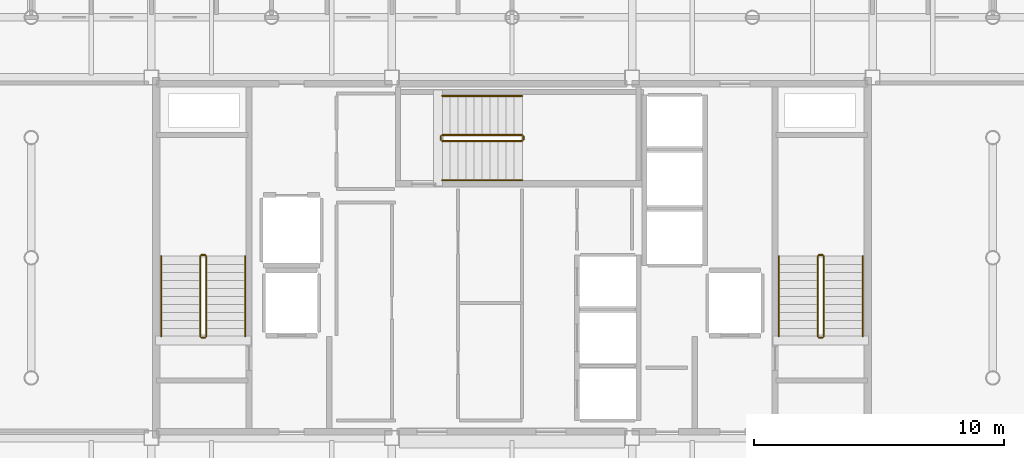
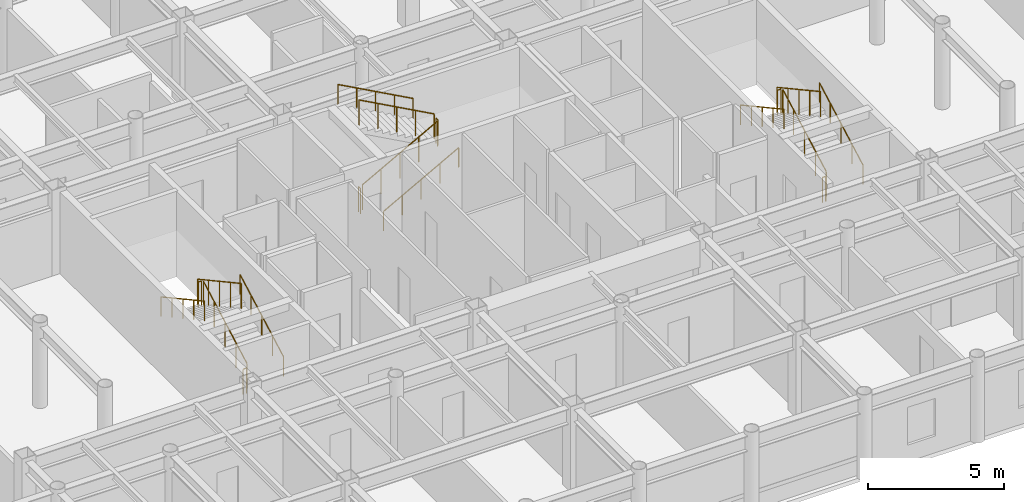
# One storey, part 22 of 22: 18 railings.
"""IFC4 building model written with IfcOpenShell, lengths in metres."""

from ifc_helpers import new_model, si_unit, direction, frame, origin, origin_2d, place, context, subcontext, project, spatial, circle, extrude, material, layer, layer_set, type_object, element, save


model = new_model("IFC4")

# Units and contexts
model_context = context("Model", 3, precision=1e-05, world=origin(), true_north=direction((0.0, 1.0)))
body_context = subcontext(model_context, "Body", "Model", "MODEL_VIEW")
ifc_project = project(units=[si_unit("LENGTHUNIT", "METRE"), si_unit("AREAUNIT", "SQUARE_METRE"), si_unit("VOLUMEUNIT", "CUBIC_METRE"), si_unit("PLANEANGLEUNIT", "RADIAN"), si_unit("MASSUNIT", "GRAM", prefix="KILO")], contexts=[model_context])

# Site, building, storey
site_placement = place(None, origin())
site = spatial("IfcSite", under=ifc_project, at=site_placement, CompositionType="ELEMENT")
building_placement = place(site_placement, origin())
building = spatial("IfcBuilding", under=site, at=building_placement, Name="Kallvorn Hotel Tower", CompositionType="ELEMENT")
storey_placement = place(building_placement, frame((0.0, 0.0, 253.10009765625)))
storey = spatial("IfcBuildingStorey", under=building, at=storey_placement, Name="L63", CompositionType="ELEMENT", Elevation=253.10009765625)

# Railings
ifc_material_1 = material(Name="Brushed stainless-steel tubular railing", Category="steel")
ifc_layer_1 = layer(ifc_material_1, 0.050048828125)
ifc_layer_set_1 = layer_set([ifc_layer_1], Name="RL_STAIR_GUARD")
railing_type_1 = type_object("IfcRailingType", Name="RL_STAIR_GUARD", PredefinedType="GUARDRAIL", material=ifc_layer_set_1)
railing_1_placement = place(storey_placement, frame((-12.2099609375, -3.139892578125, 0.1748046875)))
element("IfcRailing", 1, at=railing_1_placement, inside=storey, type_object=railing_type_1, Name="L63 ST1 stair guard 1", PredefinedType="GUARDRAIL", context=body_context, shape_type="SweptSolid", body=[
    extrude(circle(Radius=0.02392578125, at=origin_2d()), frame((0.0, 0.0, 1.1259765625), z_axis=(0.0, 0.877368057402, 0.479817977833), x_axis=(-1.0, 0.0, 0.0)), (0.0, 0.0, 1.0), 3.647216796875),
    extrude(circle(Radius=0.02099609375, at=origin_2d()), origin(), (0.0, 0.0, 1.0), 1.101806640625),
    extrude(circle(Radius=0.02099609375, at=origin_2d()), frame((0.0, 0.800048828125, 0.4375)), (0.0, 0.0, 1.0), 1.101806640625),
    extrude(circle(Radius=0.02099609375, at=origin_2d()), frame((0.0, 1.60009765625, 0.875)), (0.0, 0.0, 1.0), 1.101806640625),
    extrude(circle(Radius=0.02099609375, at=origin_2d()), frame((0.0, 2.39990234375, 1.3125)), (0.0, 0.0, 1.0), 1.101806640625),
    extrude(circle(Radius=0.02099609375, at=origin_2d()), frame((0.0, 3.199951171875, 1.75)), (0.0, 0.0, 1.0), 1.101806640625),
])
railing_2_placement = place(storey_placement, frame((-12.260009765625, 0.110107421875, 1.9248046875)))
element("IfcRailing", 2, at=railing_2_placement, inside=storey, type_object=railing_type_1, Name="L63 ST1 stair guard 2", PredefinedType="GUARDRAIL", context=body_context, shape_type="SweptSolid", body=[
    extrude(circle(Radius=0.02392578125, at=origin_2d()), frame((0.0, 0.0, 1.1259765625), z_axis=(-1.0, 0.0, 0.0), x_axis=(0.0, -1.0, 0.0)), (0.0, 0.0, 1.0), 0.139892578125),
    extrude(circle(Radius=0.02099609375, at=origin_2d()), origin(), (0.0, 0.0, 1.0), 1.101806640625),
    extrude(circle(Radius=0.02099609375, at=origin_2d()), frame((-0.139892578125, 0.0, 0.0)), (0.0, 0.0, 1.0), 1.101806640625),
])
railing_3_placement = place(storey_placement, frame((-12.449951171875, 0.06005859375, 2.099853515625)))
element("IfcRailing", 3, at=railing_3_placement, inside=storey, type_object=railing_type_1, Name="L63 ST1 stair guard 3", PredefinedType="GUARDRAIL", context=body_context, shape_type="SweptSolid", body=[
    extrude(circle(Radius=0.02392578125, at=origin_2d()), frame((0.0, 0.0, 1.1259765625), z_axis=(0.0, -0.877368057402, 0.479817977833), x_axis=(1.0, 0.0, 0.0)), (0.0, 0.0, 1.0), 3.647216796875),
    extrude(circle(Radius=0.02099609375, at=origin_2d()), origin(), (0.0, 0.0, 1.0), 1.101806640625),
    extrude(circle(Radius=0.02099609375, at=origin_2d()), frame((0.0, -0.800048828125, 0.4375)), (0.0, 0.0, 1.0), 1.101806640625),
    extrude(circle(Radius=0.02099609375, at=origin_2d()), frame((0.0, -1.60009765625, 0.875)), (0.0, 0.0, 1.0), 1.101806640625),
    extrude(circle(Radius=0.02099609375, at=origin_2d()), frame((0.0, -2.39990234375, 1.3125)), (0.0, 0.0, 1.0), 1.101806640625),
    extrude(circle(Radius=0.02099609375, at=origin_2d()), frame((0.0, -3.199951171875, 1.75)), (0.0, 0.0, 1.0), 1.101806640625),
])
railing_4_placement = place(storey_placement, frame((-12.260009765625, -3.18994140625, 0.0)))
element("IfcRailing", 4, at=railing_4_placement, inside=storey, type_object=railing_type_1, Name="L63 ST1 stair guard 4", PredefinedType="GUARDRAIL", context=body_context, shape_type="SweptSolid", body=[
    extrude(circle(Radius=0.02392578125, at=origin_2d()), frame((0.0, 0.0, 1.1259765625), z_axis=(-1.0, 0.0, 0.0), x_axis=(0.0, -1.0, 0.0)), (0.0, 0.0, 1.0), 0.139892578125),
    extrude(circle(Radius=0.02099609375, at=origin_2d()), origin(), (0.0, 0.0, 1.0), 1.101806640625),
    extrude(circle(Radius=0.02099609375, at=origin_2d()), frame((-0.139892578125, 0.0, 0.0)), (0.0, 0.0, 1.0), 1.101806640625),
])
railing_5_placement = place(storey_placement, frame((12.449951171875, -3.139892578125, 0.1748046875)))
element("IfcRailing", 5, at=railing_5_placement, inside=storey, type_object=railing_type_1, Name="L63 ST2 stair guard 1", PredefinedType="GUARDRAIL", context=body_context, shape_type="SweptSolid", body=[
    extrude(circle(Radius=0.02392578125, at=origin_2d()), frame((0.0, 0.0, 1.1259765625), z_axis=(0.0, 0.877368057402, 0.479817977833), x_axis=(-1.0, 0.0, 0.0)), (0.0, 0.0, 1.0), 3.647216796875),
    extrude(circle(Radius=0.02099609375, at=origin_2d()), origin(), (0.0, 0.0, 1.0), 1.101806640625),
    extrude(circle(Radius=0.02099609375, at=origin_2d()), frame((0.0, 0.800048828125, 0.4375)), (0.0, 0.0, 1.0), 1.101806640625),
    extrude(circle(Radius=0.02099609375, at=origin_2d()), frame((0.0, 1.60009765625, 0.875)), (0.0, 0.0, 1.0), 1.101806640625),
    extrude(circle(Radius=0.02099609375, at=origin_2d()), frame((0.0, 2.39990234375, 1.3125)), (0.0, 0.0, 1.0), 1.101806640625),
    extrude(circle(Radius=0.02099609375, at=origin_2d()), frame((0.0, 3.199951171875, 1.75)), (0.0, 0.0, 1.0), 1.101806640625),
])
railing_6_placement = place(storey_placement, frame((12.39990234375, 0.110107421875, 1.9248046875)))
element("IfcRailing", 6, at=railing_6_placement, inside=storey, type_object=railing_type_1, Name="L63 ST2 stair guard 2", PredefinedType="GUARDRAIL", context=body_context, shape_type="SweptSolid", body=[
    extrude(circle(Radius=0.02392578125, at=origin_2d()), frame((0.0, 0.0, 1.1259765625), z_axis=(-1.0, 0.0, 0.0), x_axis=(0.0, -1.0, 0.0)), (0.0, 0.0, 1.0), 0.139892578125),
    extrude(circle(Radius=0.02099609375, at=origin_2d()), origin(), (0.0, 0.0, 1.0), 1.101806640625),
    extrude(circle(Radius=0.02099609375, at=origin_2d()), frame((-0.139892578125, 0.0, 0.0)), (0.0, 0.0, 1.0), 1.101806640625),
])
railing_7_placement = place(storey_placement, frame((12.2099609375, 0.06005859375, 2.099853515625)))
element("IfcRailing", 7, at=railing_7_placement, inside=storey, type_object=railing_type_1, Name="L63 ST2 stair guard 3", PredefinedType="GUARDRAIL", context=body_context, shape_type="SweptSolid", body=[
    extrude(circle(Radius=0.02392578125, at=origin_2d()), frame((0.0, 0.0, 1.1259765625), z_axis=(0.0, -0.877368057402, 0.479817977833), x_axis=(1.0, 0.0, 0.0)), (0.0, 0.0, 1.0), 3.647216796875),
    extrude(circle(Radius=0.02099609375, at=origin_2d()), origin(), (0.0, 0.0, 1.0), 1.101806640625),
    extrude(circle(Radius=0.02099609375, at=origin_2d()), frame((0.0, -0.800048828125, 0.4375)), (0.0, 0.0, 1.0), 1.101806640625),
    extrude(circle(Radius=0.02099609375, at=origin_2d()), frame((0.0, -1.60009765625, 0.875)), (0.0, 0.0, 1.0), 1.101806640625),
    extrude(circle(Radius=0.02099609375, at=origin_2d()), frame((0.0, -2.39990234375, 1.3125)), (0.0, 0.0, 1.0), 1.101806640625),
    extrude(circle(Radius=0.02099609375, at=origin_2d()), frame((0.0, -3.199951171875, 1.75)), (0.0, 0.0, 1.0), 1.101806640625),
])
railing_8_placement = place(storey_placement, frame((12.39990234375, -3.18994140625, 0.0)))
element("IfcRailing", 8, at=railing_8_placement, inside=storey, type_object=railing_type_1, Name="L63 ST2 stair guard 4", PredefinedType="GUARDRAIL", context=body_context, shape_type="SweptSolid", body=[
    extrude(circle(Radius=0.02392578125, at=origin_2d()), frame((0.0, 0.0, 1.1259765625), z_axis=(-1.0, 0.0, 0.0), x_axis=(0.0, -1.0, 0.0)), (0.0, 0.0, 1.0), 0.139892578125),
    extrude(circle(Radius=0.02099609375, at=origin_2d()), origin(), (0.0, 0.0, 1.0), 1.101806640625),
    extrude(circle(Radius=0.02099609375, at=origin_2d()), frame((-0.139892578125, 0.0, 0.0)), (0.0, 0.0, 1.0), 1.101806640625),
])
railing_9_placement = place(storey_placement, frame((-2.7900390625, 4.659912109375, 0.1748046875)))
element("IfcRailing", 9, at=railing_9_placement, inside=storey, type_object=railing_type_1, Name="L63 ST3 stair guard 1", PredefinedType="GUARDRAIL", context=body_context, shape_type="SweptSolid", body=[
    extrude(circle(Radius=0.02392578125, at=origin_2d()), frame((0.0, 0.0, 1.1259765625), z_axis=(0.877368057402, 0.0, 0.479817977833), x_axis=(0.0, 1.0, 0.0)), (0.0, 0.0, 1.0), 3.647216796875),
    extrude(circle(Radius=0.02099609375, at=origin_2d()), origin(), (0.0, 0.0, 1.0), 1.101806640625),
    extrude(circle(Radius=0.02099609375, at=origin_2d()), frame((0.800048828125, 0.0, 0.4375)), (0.0, 0.0, 1.0), 1.101806640625),
    extrude(circle(Radius=0.02099609375, at=origin_2d()), frame((1.60009765625, 0.0, 0.875)), (0.0, 0.0, 1.0), 1.101806640625),
    extrude(circle(Radius=0.02099609375, at=origin_2d()), frame((2.39990234375, 0.0, 1.3125)), (0.0, 0.0, 1.0), 1.101806640625),
    extrude(circle(Radius=0.02099609375, at=origin_2d()), frame((3.199951171875, 0.0, 1.75)), (0.0, 0.0, 1.0), 1.101806640625),
])
railing_10_placement = place(storey_placement, frame((0.4599609375, 4.7099609375, 1.9248046875)))
element("IfcRailing", 10, at=railing_10_placement, inside=storey, type_object=railing_type_1, Name="L63 ST3 stair guard 2", PredefinedType="GUARDRAIL", context=body_context, shape_type="SweptSolid", body=[
    extrude(circle(Radius=0.02392578125, at=origin_2d()), frame((0.0, 0.0, 1.1259765625), z_axis=(0.0, 1.0, 0.0), x_axis=(-1.0, 0.0, 0.0)), (0.0, 0.0, 1.0), 0.14013671875),
    extrude(circle(Radius=0.02099609375, at=origin_2d()), origin(), (0.0, 0.0, 1.0), 1.101806640625),
    extrude(circle(Radius=0.02099609375, at=origin_2d()), frame((0.0, 0.14013671875, 0.0)), (0.0, 0.0, 1.0), 1.101806640625),
])
railing_11_placement = place(storey_placement, frame((0.409912109375, 4.89990234375, 2.099853515625)))
element("IfcRailing", 11, at=railing_11_placement, inside=storey, type_object=railing_type_1, Name="L63 ST3 stair guard 3", PredefinedType="GUARDRAIL", context=body_context, shape_type="SweptSolid", body=[
    extrude(circle(Radius=0.02392578125, at=origin_2d()), frame((0.0, 0.0, 1.1259765625), z_axis=(-0.877368057402, 0.0, 0.479817977833), x_axis=(0.0, -1.0, 0.0)), (0.0, 0.0, 1.0), 3.647216796875),
    extrude(circle(Radius=0.02099609375, at=origin_2d()), origin(), (0.0, 0.0, 1.0), 1.101806640625),
    extrude(circle(Radius=0.02099609375, at=origin_2d()), frame((-0.800048828125, 0.0, 0.4375)), (0.0, 0.0, 1.0), 1.101806640625),
    extrude(circle(Radius=0.02099609375, at=origin_2d()), frame((-1.60009765625, 0.0, 0.875)), (0.0, 0.0, 1.0), 1.101806640625),
    extrude(circle(Radius=0.02099609375, at=origin_2d()), frame((-2.39990234375, 0.0, 1.3125)), (0.0, 0.0, 1.0), 1.101806640625),
    extrude(circle(Radius=0.02099609375, at=origin_2d()), frame((-3.199951171875, 0.0, 1.75)), (0.0, 0.0, 1.0), 1.101806640625),
])
railing_12_placement = place(storey_placement, frame((-2.840087890625, 4.7099609375, 0.0)))
element("IfcRailing", 12, at=railing_12_placement, inside=storey, type_object=railing_type_1, Name="L63 ST3 stair guard 4", PredefinedType="GUARDRAIL", context=body_context, shape_type="SweptSolid", body=[
    extrude(circle(Radius=0.02392578125, at=origin_2d()), frame((0.0, 0.0, 1.1259765625), z_axis=(0.0, 1.0, 0.0), x_axis=(-1.0, 0.0, 0.0)), (0.0, 0.0, 1.0), 0.14013671875),
    extrude(circle(Radius=0.02099609375, at=origin_2d()), origin(), (0.0, 0.0, 1.0), 1.101806640625),
    extrude(circle(Radius=0.02099609375, at=origin_2d()), frame((0.0, 0.14013671875, 0.0)), (0.0, 0.0, 1.0), 1.101806640625),
])
ifc_material_2 = material(Name="Brushed stainless-steel tubular railing", Category="steel")
ifc_layer_2 = layer(ifc_material_2, 0.050048828125)
ifc_layer_set_2 = layer_set([ifc_layer_2], Name="RL_STAIR_HAND")
railing_type_2 = type_object("IfcRailingType", Name="RL_STAIR_HAND", PredefinedType="HANDRAIL", material=ifc_layer_set_2)
railing_13_placement = place(storey_placement, frame((-10.64990234375, -3.139892578125, 0.1748046875)))
element("IfcRailing", 13, at=railing_13_placement, inside=storey, type_object=railing_type_2, Name="L63 ST1 stair handrail 1", PredefinedType="HANDRAIL", context=body_context, shape_type="SweptSolid", body=[
    extrude(circle(Radius=0.02392578125, at=origin_2d()), frame((0.0, 0.0, 0.8759765625), z_axis=(0.0, 0.877368057402, 0.479817977833), x_axis=(-1.0, 0.0, 0.0)), (0.0, 0.0, 1.0), 3.647216796875),
    extrude(circle(Radius=0.02099609375, at=origin_2d()), origin(), (0.0, 0.0, 1.0), 0.851806640625),
    extrude(circle(Radius=0.02099609375, at=origin_2d()), frame((0.0, 0.800048828125, 0.4375)), (0.0, 0.0, 1.0), 0.851806640625),
    extrude(circle(Radius=0.02099609375, at=origin_2d()), frame((0.0, 1.60009765625, 0.875)), (0.0, 0.0, 1.0), 0.851806640625),
    extrude(circle(Radius=0.02099609375, at=origin_2d()), frame((0.0, 2.39990234375, 1.3125)), (0.0, 0.0, 1.0), 0.851806640625),
    extrude(circle(Radius=0.02099609375, at=origin_2d()), frame((0.0, 3.199951171875, 1.75)), (0.0, 0.0, 1.0), 0.851806640625),
])
railing_14_placement = place(storey_placement, frame((-14.010009765625, 0.06005859375, 2.099853515625)))
element("IfcRailing", 14, at=railing_14_placement, inside=storey, type_object=railing_type_2, Name="L63 ST1 stair handrail 2", PredefinedType="HANDRAIL", context=body_context, shape_type="SweptSolid", body=[
    extrude(circle(Radius=0.02392578125, at=origin_2d()), frame((0.0, 0.0, 0.8759765625), z_axis=(0.0, -0.877368057402, 0.479817977833), x_axis=(1.0, 0.0, 0.0)), (0.0, 0.0, 1.0), 3.647216796875),
    extrude(circle(Radius=0.02099609375, at=origin_2d()), origin(), (0.0, 0.0, 1.0), 0.851806640625),
    extrude(circle(Radius=0.02099609375, at=origin_2d()), frame((0.0, -0.800048828125, 0.4375)), (0.0, 0.0, 1.0), 0.851806640625),
    extrude(circle(Radius=0.02099609375, at=origin_2d()), frame((0.0, -1.60009765625, 0.875)), (0.0, 0.0, 1.0), 0.851806640625),
    extrude(circle(Radius=0.02099609375, at=origin_2d()), frame((0.0, -2.39990234375, 1.3125)), (0.0, 0.0, 1.0), 0.851806640625),
    extrude(circle(Radius=0.02099609375, at=origin_2d()), frame((0.0, -3.199951171875, 1.75)), (0.0, 0.0, 1.0), 0.851806640625),
])
railing_15_placement = place(storey_placement, frame((14.010009765625, -3.139892578125, 0.1748046875)))
element("IfcRailing", 15, at=railing_15_placement, inside=storey, type_object=railing_type_2, Name="L63 ST2 stair handrail 1", PredefinedType="HANDRAIL", context=body_context, shape_type="SweptSolid", body=[
    extrude(circle(Radius=0.02392578125, at=origin_2d()), frame((0.0, 0.0, 0.8759765625), z_axis=(0.0, 0.877368057402, 0.479817977833), x_axis=(-1.0, 0.0, 0.0)), (0.0, 0.0, 1.0), 3.647216796875),
    extrude(circle(Radius=0.02099609375, at=origin_2d()), origin(), (0.0, 0.0, 1.0), 0.851806640625),
    extrude(circle(Radius=0.02099609375, at=origin_2d()), frame((0.0, 0.800048828125, 0.4375)), (0.0, 0.0, 1.0), 0.851806640625),
    extrude(circle(Radius=0.02099609375, at=origin_2d()), frame((0.0, 1.60009765625, 0.875)), (0.0, 0.0, 1.0), 0.851806640625),
    extrude(circle(Radius=0.02099609375, at=origin_2d()), frame((0.0, 2.39990234375, 1.3125)), (0.0, 0.0, 1.0), 0.851806640625),
    extrude(circle(Radius=0.02099609375, at=origin_2d()), frame((0.0, 3.199951171875, 1.75)), (0.0, 0.0, 1.0), 0.851806640625),
])
railing_16_placement = place(storey_placement, frame((10.64990234375, 0.06005859375, 2.099853515625)))
element("IfcRailing", 16, at=railing_16_placement, inside=storey, type_object=railing_type_2, Name="L63 ST2 stair handrail 2", PredefinedType="HANDRAIL", context=body_context, shape_type="SweptSolid", body=[
    extrude(circle(Radius=0.02392578125, at=origin_2d()), frame((0.0, 0.0, 0.8759765625), z_axis=(0.0, -0.877368057402, 0.479817977833), x_axis=(1.0, 0.0, 0.0)), (0.0, 0.0, 1.0), 3.647216796875),
    extrude(circle(Radius=0.02099609375, at=origin_2d()), origin(), (0.0, 0.0, 1.0), 0.851806640625),
    extrude(circle(Radius=0.02099609375, at=origin_2d()), frame((0.0, -0.800048828125, 0.4375)), (0.0, 0.0, 1.0), 0.851806640625),
    extrude(circle(Radius=0.02099609375, at=origin_2d()), frame((0.0, -1.60009765625, 0.875)), (0.0, 0.0, 1.0), 0.851806640625),
    extrude(circle(Radius=0.02099609375, at=origin_2d()), frame((0.0, -2.39990234375, 1.3125)), (0.0, 0.0, 1.0), 0.851806640625),
    extrude(circle(Radius=0.02099609375, at=origin_2d()), frame((0.0, -3.199951171875, 1.75)), (0.0, 0.0, 1.0), 0.851806640625),
])
railing_17_placement = place(storey_placement, frame((-2.7900390625, 3.10009765625, 0.1748046875)))
element("IfcRailing", 17, at=railing_17_placement, inside=storey, type_object=railing_type_2, Name="L63 ST3 stair handrail 1", PredefinedType="HANDRAIL", context=body_context, shape_type="SweptSolid", body=[
    extrude(circle(Radius=0.02392578125, at=origin_2d()), frame((0.0, 0.0, 0.8759765625), z_axis=(0.877368057402, 0.0, 0.479817977833), x_axis=(0.0, 1.0, 0.0)), (0.0, 0.0, 1.0), 3.647216796875),
    extrude(circle(Radius=0.02099609375, at=origin_2d()), origin(), (0.0, 0.0, 1.0), 0.851806640625),
    extrude(circle(Radius=0.02099609375, at=origin_2d()), frame((0.800048828125, 0.0, 0.4375)), (0.0, 0.0, 1.0), 0.851806640625),
    extrude(circle(Radius=0.02099609375, at=origin_2d()), frame((1.60009765625, 0.0, 0.875)), (0.0, 0.0, 1.0), 0.851806640625),
    extrude(circle(Radius=0.02099609375, at=origin_2d()), frame((2.39990234375, 0.0, 1.3125)), (0.0, 0.0, 1.0), 0.851806640625),
    extrude(circle(Radius=0.02099609375, at=origin_2d()), frame((3.199951171875, 0.0, 1.75)), (0.0, 0.0, 1.0), 0.851806640625),
])
railing_18_placement = place(storey_placement, frame((0.409912109375, 6.4599609375, 2.099853515625)))
element("IfcRailing", 18, at=railing_18_placement, inside=storey, type_object=railing_type_2, Name="L63 ST3 stair handrail 2", PredefinedType="HANDRAIL", context=body_context, shape_type="SweptSolid", body=[
    extrude(circle(Radius=0.02392578125, at=origin_2d()), frame((0.0, 0.0, 0.8759765625), z_axis=(-0.877368057402, 0.0, 0.479817977833), x_axis=(0.0, -1.0, 0.0)), (0.0, 0.0, 1.0), 3.647216796875),
    extrude(circle(Radius=0.02099609375, at=origin_2d()), origin(), (0.0, 0.0, 1.0), 0.851806640625),
    extrude(circle(Radius=0.02099609375, at=origin_2d()), frame((-0.800048828125, 0.0, 0.4375)), (0.0, 0.0, 1.0), 0.851806640625),
    extrude(circle(Radius=0.02099609375, at=origin_2d()), frame((-1.60009765625, 0.0, 0.875)), (0.0, 0.0, 1.0), 0.851806640625),
    extrude(circle(Radius=0.02099609375, at=origin_2d()), frame((-2.39990234375, 0.0, 1.3125)), (0.0, 0.0, 1.0), 0.851806640625),
    extrude(circle(Radius=0.02099609375, at=origin_2d()), frame((-3.199951171875, 0.0, 1.75)), (0.0, 0.0, 1.0), 0.851806640625),
])

save(model, "model.ifc")
